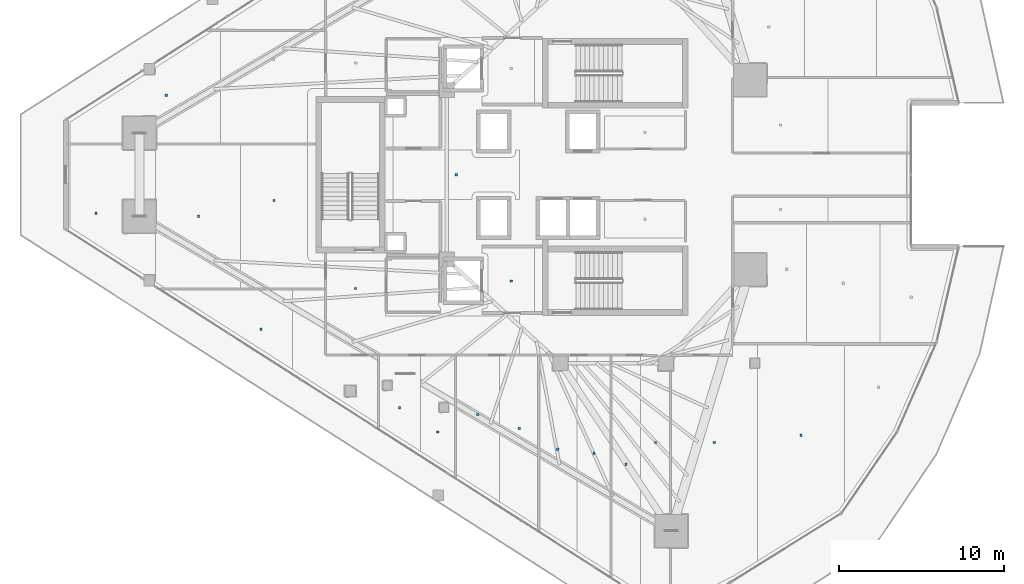
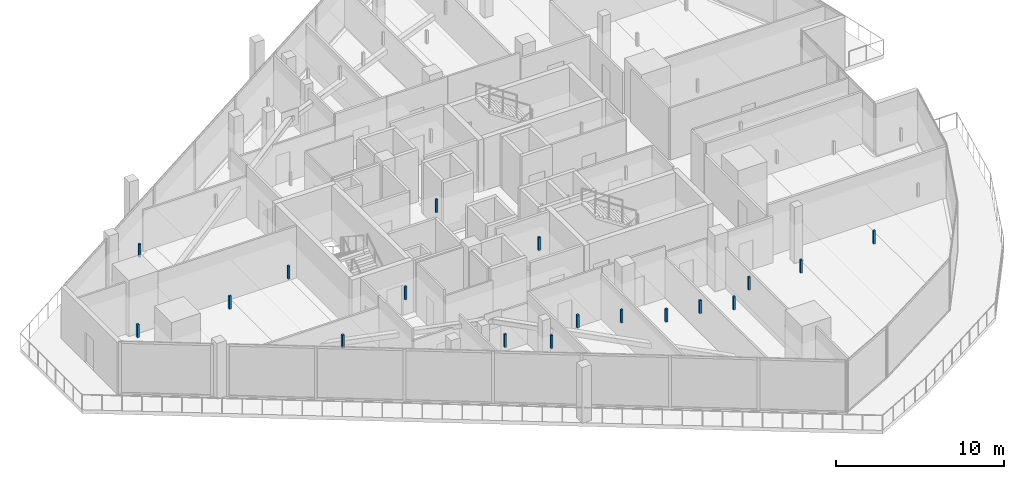
# One storey, part 34 of 43: 18 discrete accessories.
"""IFC4 building model written with IfcOpenShell, lengths in metres."""

from ifc_helpers import new_model, si_unit, direction, frame, origin, origin_2d, place, context, subcontext, project, spatial, rectangle, extrude, material, type_object, element, save


model = new_model("IFC4")

# Units and contexts
model_context = context("Model", 3, precision=1e-05, world=origin(), true_north=direction((0.0, 1.0)))
body_context = subcontext(model_context, "Body", "Model", "MODEL_VIEW")
ifc_project = project(units=[si_unit("LENGTHUNIT", "METRE"), si_unit("AREAUNIT", "SQUARE_METRE"), si_unit("VOLUMEUNIT", "CUBIC_METRE"), si_unit("PLANEANGLEUNIT", "RADIAN"), si_unit("MASSUNIT", "GRAM", prefix="KILO")], contexts=[model_context])

# Site, building, storey
site_placement = place(None, origin())
site = spatial("IfcSite", under=ifc_project, at=site_placement, CompositionType="ELEMENT")
building_placement = place(site_placement, origin())
building = spatial("IfcBuilding", under=site, at=building_placement, Name="Qorvath Tower", CompositionType="ELEMENT")
storey_placement = place(building_placement, frame((0.0, 0.0, 213.14990234375)))
storey = spatial("IfcBuildingStorey", under=building, at=storey_placement, Name="L49", CompositionType="ELEMENT", Elevation=213.14990234375)

# Discrete accessories
ifc_material = material(Name="Galvanised steel bracket", Category="steel")
discrete_accessory_type = type_object("IfcDiscreteAccessoryType", Name="DA-BRACKET", PredefinedType="BRACKET", material=ifc_material)
for number, where, z_axis, x_axis, name in (
    (1, (-26.590087890625, -6.449951171875, 2.85986328125), (0.0, 0.0, 1.0), (1.0, 0.0, 0.0), "Acoustic Ceiling Suspension Hanger T1-L49-002"),
    (2, (-36.04150390625, -6.907470703125, 2.85986328125), (0.0, 0.0, 1.0), (1.0, 0.0, 0.0), "Acoustic Ceiling Suspension Hanger T1-L49-009"),
    (3, (-29.927734375, 0.0, 2.85986328125), (0.0, 0.0, 1.0), (1.0, 0.0, 0.0), "Acoustic Ceiling Suspension Hanger T1-L49-011"),
    (4, (-33.37353515625, -14.147705078125, 2.85986328125), (0.0, 0.0, 1.0), (1.0, 0.0, 0.0), "Acoustic Ceiling Suspension Hanger T1-L49-023"),
    (5, (-31.04296875, -15.626220703125, 2.85986328125), (0.0, 0.0, 1.0), (1.0, 0.0, 0.0), "Acoustic Ceiling Suspension Hanger T1-L49-024"),
    (6, (-28.62841796875, -14.560791015625, 2.85986328125), (0.0, 0.0, 1.0), (1.0, 0.0, 0.0), "Acoustic Ceiling Suspension Hanger T1-L49-025"),
    (7, (-26.10693359375, -15.415771484375, 2.85986328125), (0.0, 0.0, 1.0), (1.0, 0.0, 0.0), "Acoustic Ceiling Suspension Hanger T1-L49-026"),
    (8, (-23.75732421875, -16.676513671875, 2.85986328125), (0.0, 0.0, 1.0), (1.0, 0.0, 0.0), "Acoustic Ceiling Suspension Hanger T1-L49-027"),
    (9, (-21.56689453125, -16.91162109375, 2.85986328125), (0.0, 0.0, 1.0), (1.0, 0.0, 0.0), "Acoustic Ceiling Suspension Hanger T1-L49-028"),
    (10, (-19.624755859375, -17.586669921875, 2.85986328125), (0.0, 0.0, 1.0), (1.0, 0.0, 0.0), "Acoustic Ceiling Suspension Hanger T1-L49-029"),
    (11, (-17.83349609375, -16.263671875, 2.85986328125), (0.0, 0.0, 1.0), (1.0, 0.0, 0.0), "Acoustic Ceiling Suspension Hanger T1-L49-030"),
    (12, (-14.268310546875, -16.263671875, 2.85986328125), (0.0, 0.0, 1.0), (1.0, 0.0, 0.0), "Acoustic Ceiling Suspension Hanger T1-L49-031"),
    (13, (-8.993408203125, -15.82861328125, 2.85986328125), (0.0, 0.0, 1.0), (1.0, 0.0, 0.0), "Acoustic Ceiling Suspension Hanger T1-L49-032"),
    (14, (-41.779541015625, -9.384033203125, 2.85986328125), (0.0, 0.0, 1.0), (1.0, 0.0, 0.0), "Acoustic Ceiling Suspension Hanger T1-L49-043"),
    (15, (-51.7998046875, -2.34033203125, 2.85986328125), (0.0, 0.0, 1.0), (1.0, 0.0, 0.0), "Acoustic Ceiling Suspension Hanger T1-L49-045"),
    (16, (-45.58203125, -2.52783203125, 2.85986328125), (0.0, 0.0, 1.0), (1.0, 0.0, 0.0), "Acoustic Ceiling Suspension Hanger T1-L49-046"),
    (17, (-40.9921875, -1.571044921875, 2.85986328125), (0.0, 0.0, 1.0), (1.0, 0.0, 0.0), "Acoustic Ceiling Suspension Hanger T1-L49-047"),
    (18, (-47.537353515625, 4.816650390625, 2.85986328125), (0.0, 0.0, 1.0), (1.0, 0.0, 0.0), "Acoustic Ceiling Suspension Hanger T1-L49-048"),
):
    element("IfcDiscreteAccessory", number, at=place(storey_placement, frame(where, z_axis=z_axis, x_axis=x_axis)), inside=storey, type_object=discrete_accessory_type, Name=name, PredefinedType="NOTDEFINED", context=body_context, shape_type="SweptSolid", body=[
        extrude(rectangle(XDim=0.139892578125, YDim=0.139892578125, at=origin_2d()), origin(), (0.0, 0.0, 1.0), 0.949951171875),
    ])

save(model, "model.ifc")
